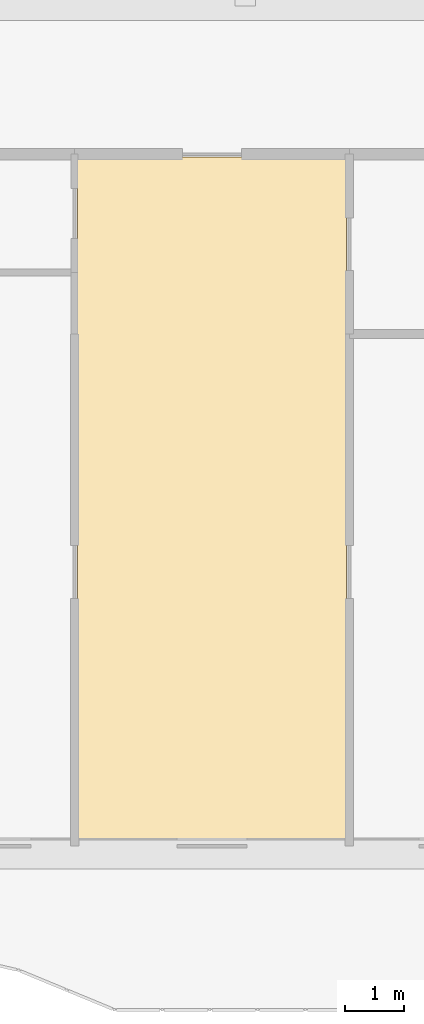
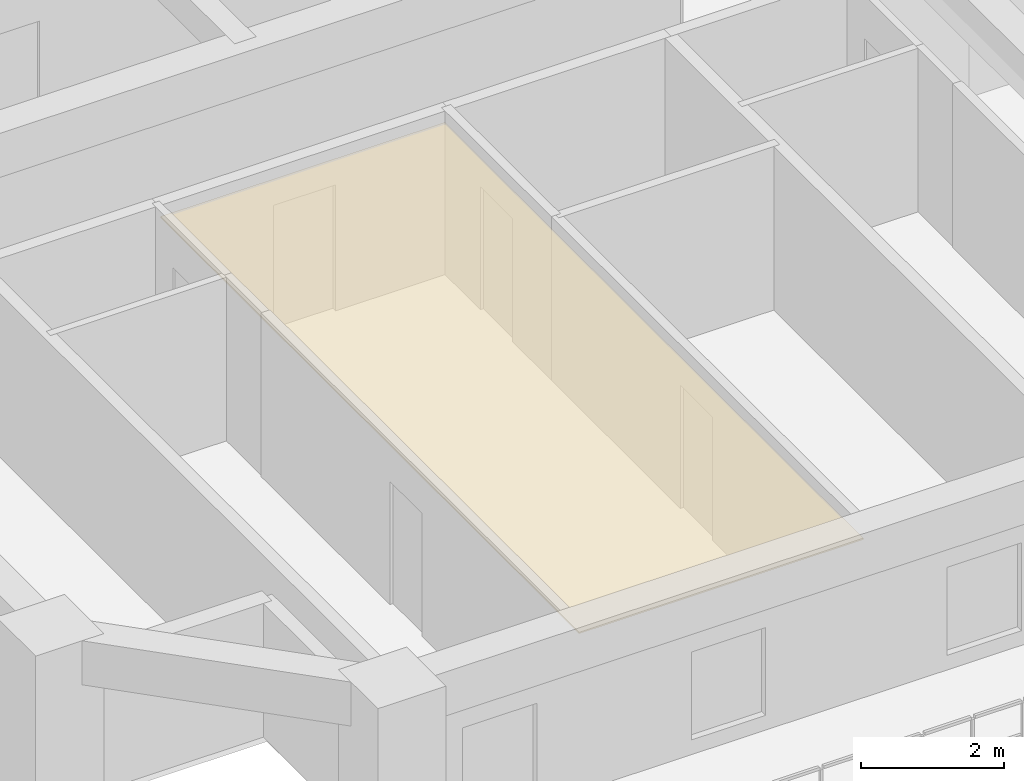
# One storey, part 11 of 16: 1 covering.
"""IFC4 building model written with IfcOpenShell, lengths in metres."""

from ifc_helpers import new_model, si_unit, direction, frame, origin, place, context, subcontext, project, spatial, polyline, outline, extrude, material, layer, layer_set, type_object, element, save


model = new_model("IFC4")

# Units and contexts
model_context = context("Model", 3, precision=1e-05, world=origin(), true_north=direction((0.0, 1.0)))
body_context = subcontext(model_context, "Body", "Model", "MODEL_VIEW")
ifc_project = project(units=[si_unit("LENGTHUNIT", "METRE"), si_unit("AREAUNIT", "SQUARE_METRE"), si_unit("VOLUMEUNIT", "CUBIC_METRE"), si_unit("PLANEANGLEUNIT", "RADIAN"), si_unit("MASSUNIT", "GRAM", prefix="KILO")], contexts=[model_context])

# Site, building, storey
site_placement = place(None, origin())
site = spatial("IfcSite", under=ifc_project, at=site_placement, CompositionType="ELEMENT")
building_placement = place(site_placement, origin())
building = spatial("IfcBuilding", under=site, at=building_placement, Name="Saelheon Loggia Tower", CompositionType="ELEMENT")
storey_placement = place(building_placement, frame((0.0, 0.0, 37.39990234375)))
storey = spatial("IfcBuildingStorey", under=building, at=storey_placement, Name="L11", CompositionType="ELEMENT", Elevation=37.39990234375)

# Covering
ifc_material = material(Name="Mineral-Fibre Acoustic Ceiling Board", Category="gypsum")
ifc_layer = layer(ifc_material, 0.02490234375)
ifc_layer_set = layer_set([ifc_layer], Name="Mineral-Fibre Acoustic Ceiling Board")
covering_type = type_object("IfcCoveringType", Name="Cov_Ceiling_Acoustic", PredefinedType="CEILING", material=ifc_layer_set)
covering_placement = place(storey_placement, frame((0.0, 0.0, 2.53515625)))
element("IfcCovering", 1, at=covering_placement, inside=storey, type_object=covering_type, Name="L11 Acoustic Suspended Ceiling", PredefinedType="CEILING", context=body_context, shape_type="SweptSolid", body=[
    extrude(outline(polyline([(18.631591796875, 3.199951171875), (23.21875, 3.199951171875), (23.21875, 14.89990234375), (18.631591796875, 14.89990234375), (18.631591796875, 3.199951171875)])), origin(), (0.0, 0.0, 1.0), 0.02490234375),
])

save(model, "model.ifc")
